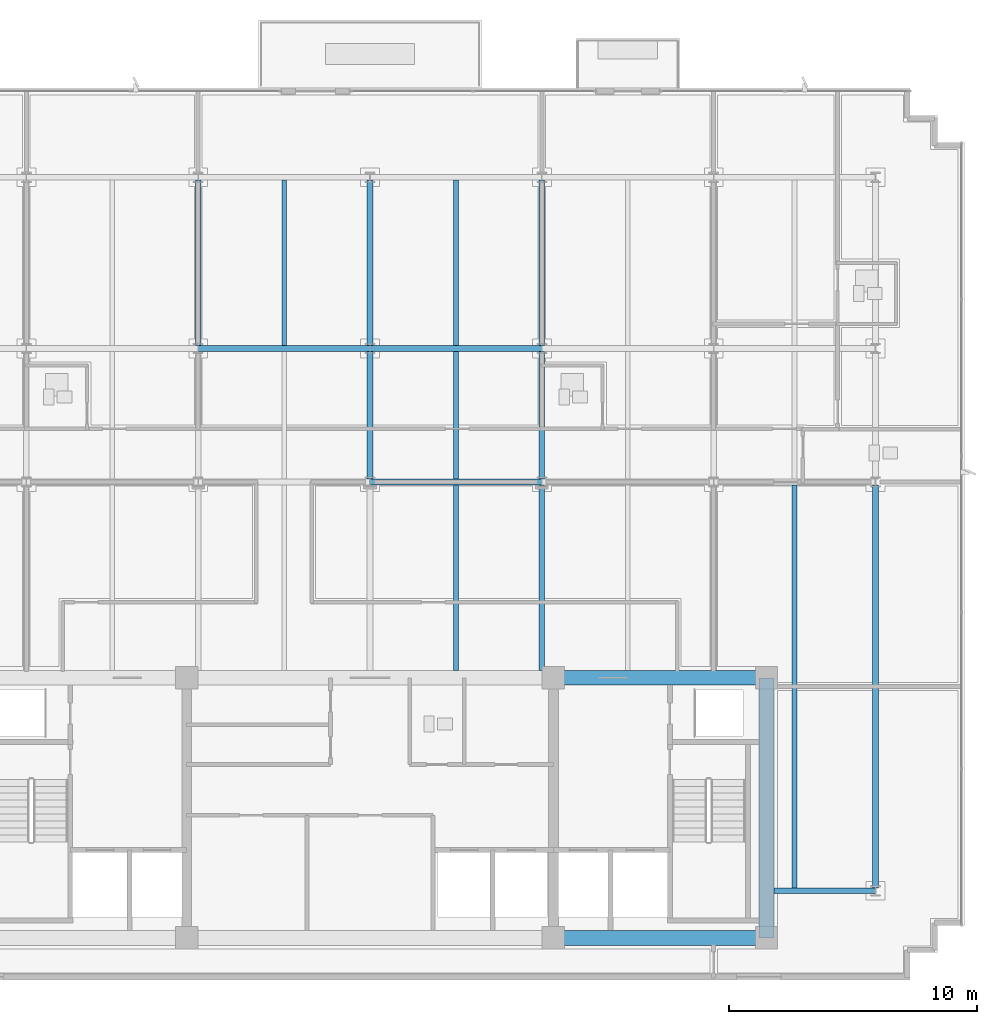
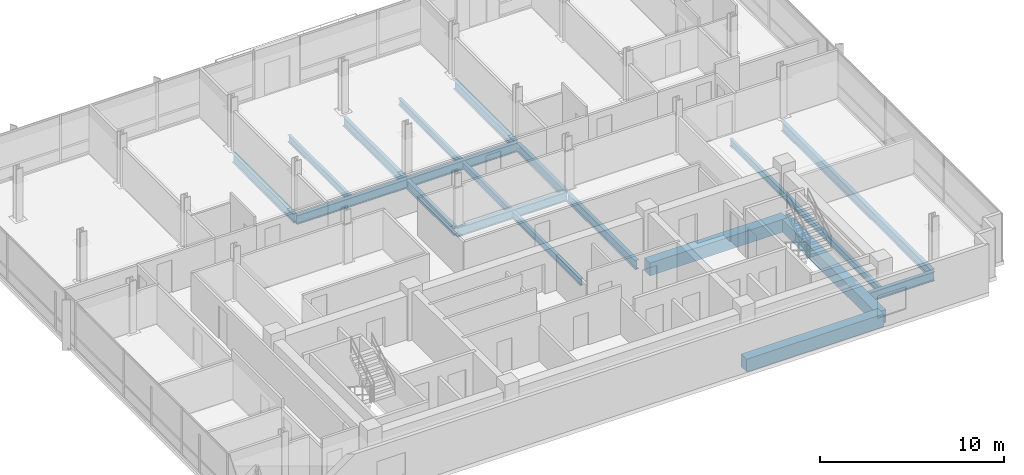
# One storey, part 5 of 19: 19 beams.
"""IFC4 building model written with IfcOpenShell, lengths in metres."""

from ifc_helpers import new_model, si_unit, direction, frame, origin, origin_2d, place, context, subcontext, project, spatial, rectangle, i_section, extrude, material, material_profile, profile_set, type_object, element, save


model = new_model("IFC4")

# Units and contexts
model_context = context("Model", 3, precision=1e-05, world=origin(), true_north=direction((0.0, 1.0)))
body_context = subcontext(model_context, "Body", "Model", "MODEL_VIEW")
ifc_project = project(units=[si_unit("LENGTHUNIT", "METRE"), si_unit("AREAUNIT", "SQUARE_METRE"), si_unit("VOLUMEUNIT", "CUBIC_METRE"), si_unit("PLANEANGLEUNIT", "RADIAN"), si_unit("MASSUNIT", "GRAM", prefix="KILO")], contexts=[model_context])

# Site, building, storey
site_placement = place(None, origin())
site = spatial("IfcSite", under=ifc_project, at=site_placement, CompositionType="ELEMENT")
building_placement = place(site_placement, origin())
building = spatial("IfcBuilding", under=site, at=building_placement, Name="Solmavex Isthmus Hotel", CompositionType="ELEMENT")
storey_placement = place(building_placement, frame((0.0, 0.0, 262.64990234375)))
storey = spatial("IfcBuildingStorey", under=building, at=storey_placement, Name="L71", CompositionType="ELEMENT", Elevation=262.64990234375)

# Beams
ifc_material_1 = material(Name="Steel ASTM A992 Grade 50", Category="steel")
ifc_material_profile_1 = material_profile(ifc_material_1, i_section(OverallWidth=0.1904296875, OverallDepth=0.456787109375, WebThickness=0.009033203125, FlangeThickness=0.014404296875, FilletRadius=0.0126953125, at=origin_2d()), Name="W18X50")
ifc_profile_set_1 = profile_set([ifc_material_profile_1], Name="Steel ASTM A992 Grade 50")
beam_type_1 = type_object("IfcBeamType", Name="BM-BJ-W18X50", PredefinedType="JOIST", material=ifc_profile_set_1)
beam_1_placement = place(storey_placement, frame((-3.468017578125, 10.90185546875, -0.48828125), z_axis=(0.0, 1.0, 0.0), x_axis=(-1.0, 0.0, 0.0)))
element("IfcBeam", 1, at=beam_1_placement, inside=storey, type_object=beam_type_1, Name="Secondary Floor Joist L71-J09", PredefinedType="JOIST", context=body_context, shape_type="SweptSolid", body=[
    extrude(i_section(OverallWidth=0.1904296875, OverallDepth=0.456787109375, WebThickness=0.009033203125, FlangeThickness=0.014404296875, FilletRadius=0.0126953125, at=origin_2d()), origin(), (0.0, 0.0, 1.0), 6.682861328125),
])
beam_2_placement = place(storey_placement, frame((3.468017578125, -2.199951171875, -0.48828125), z_axis=(0.0, 1.0, 0.0), x_axis=(-1.0, 0.0, 0.0)))
element("IfcBeam", 2, at=beam_2_placement, inside=storey, type_object=beam_type_1, Name="Secondary Floor Joist L71-J10", PredefinedType="JOIST", context=body_context, shape_type="SweptSolid", body=[
    extrude(i_section(OverallWidth=0.1904296875, OverallDepth=0.456787109375, WebThickness=0.009033203125, FlangeThickness=0.014404296875, FilletRadius=0.0126953125, at=origin_2d()), origin(), (0.0, 0.0, 1.0), 7.486083984375),
])
beam_3_placement = place(storey_placement, frame((3.468017578125, 5.513916015625, -0.48828125), z_axis=(0.0, 1.0, 0.0), x_axis=(-1.0, 0.0, 0.0)))
element("IfcBeam", 3, at=beam_3_placement, inside=storey, type_object=beam_type_1, Name="Secondary Floor Joist L71-J11", PredefinedType="JOIST", context=body_context, shape_type="SweptSolid", body=[
    extrude(i_section(OverallWidth=0.1904296875, OverallDepth=0.456787109375, WebThickness=0.009033203125, FlangeThickness=0.014404296875, FilletRadius=0.0126953125, at=origin_2d()), origin(), (0.0, 0.0, 1.0), 5.16015625),
])
beam_4_placement = place(storey_placement, frame((3.468017578125, 10.90185546875, -0.48828125), z_axis=(0.0, 1.0, 0.0), x_axis=(-1.0, 0.0, 0.0)))
element("IfcBeam", 4, at=beam_4_placement, inside=storey, type_object=beam_type_1, Name="Secondary Floor Joist L71-J12", PredefinedType="JOIST", context=body_context, shape_type="SweptSolid", body=[
    extrude(i_section(OverallWidth=0.1904296875, OverallDepth=0.456787109375, WebThickness=0.009033203125, FlangeThickness=0.014404296875, FilletRadius=0.0126953125, at=origin_2d()), origin(), (0.0, 0.0, 1.0), 6.682861328125),
])
beam_5_placement = place(storey_placement, frame((17.135986328125, -10.98486328125, -0.48828125), z_axis=(0.0, 1.0, 0.0), x_axis=(-1.0, 0.0, 0.0)))
element("IfcBeam", 5, at=beam_5_placement, inside=storey, type_object=beam_type_1, Name="Secondary Floor Joist L71-J16", PredefinedType="JOIST", context=body_context, shape_type="SweptSolid", body=[
    extrude(i_section(OverallWidth=0.1904296875, OverallDepth=0.456787109375, WebThickness=0.009033203125, FlangeThickness=0.014404296875, FilletRadius=0.0126953125, at=origin_2d()), origin(), (0.0, 0.0, 1.0), 16.27099609375),
])
ifc_material_profile_2 = material_profile(ifc_material_1, i_section(OverallWidth=0.227783203125, OverallDepth=0.602783203125, WebThickness=0.010498046875, FlangeThickness=0.014892578125, FilletRadius=0.01513671875, at=origin_2d()), Name="W24X68")
ifc_profile_set_2 = profile_set([ifc_material_profile_2], Name="Steel ASTM A992 Grade 50")
beam_type_2 = type_object("IfcBeamType", Name="BM-BM-W24X68", PredefinedType="BEAM", material=ifc_profile_set_2)
for number, where, z_axis, x_axis, name in (
    (6, (0.0, 5.39990234375, -0.561279296875), (1.0, 0.0, 0.0), (0.0, 1.0, 0.0), "Floor Girder L71-UG06"),
    (7, (-6.93603515625, 10.7880859375, -0.561279296875), (1.0, 0.0, 0.0), (0.0, 1.0, 0.0), "Floor Girder L71-UG11"),
    (8, (0.0, 10.7880859375, -0.561279296875), (1.0, 0.0, 0.0), (0.0, 1.0, 0.0), "Floor Girder L71-UG12"),
):
    element("IfcBeam", number, at=place(storey_placement, frame(where, z_axis=z_axis, x_axis=x_axis)), inside=storey, type_object=beam_type_2, Name=name, PredefinedType="BEAM", context=body_context, shape_type="SweptSolid", body=[
        extrude(i_section(OverallWidth=0.227783203125, OverallDepth=0.602783203125, WebThickness=0.010498046875, FlangeThickness=0.014892578125, FilletRadius=0.01513671875, at=origin_2d()), origin(), (0.0, 0.0, 1.0), 6.93603515625),
    ])
beam_6_placement = place(storey_placement, frame((-6.93603515625, 10.90185546875, -0.561279296875), z_axis=(0.0, 1.0, 0.0), x_axis=(-1.0, 0.0, 0.0)))
element("IfcBeam", 9, at=beam_6_placement, inside=storey, type_object=beam_type_2, Name="Floor Beam L71-VG29", PredefinedType="BEAM", context=body_context, shape_type="SweptSolid", body=[
    extrude(i_section(OverallWidth=0.227783203125, OverallDepth=0.602783203125, WebThickness=0.010498046875, FlangeThickness=0.014892578125, FilletRadius=0.01513671875, at=origin_2d()), origin(), (0.0, 0.0, 1.0), 6.682861328125),
])
beam_7_placement = place(storey_placement, frame((0.0, 5.513916015625, -0.561279296875), z_axis=(0.0, 1.0, 0.0), x_axis=(-1.0, 0.0, 0.0)))
element("IfcBeam", 10, at=beam_7_placement, inside=storey, type_object=beam_type_2, Name="Floor Beam L71-VG31", PredefinedType="BEAM", context=body_context, shape_type="SweptSolid", body=[
    extrude(i_section(OverallWidth=0.227783203125, OverallDepth=0.602783203125, WebThickness=0.010498046875, FlangeThickness=0.014892578125, FilletRadius=0.01513671875, at=origin_2d()), origin(), (0.0, 0.0, 1.0), 5.16015625),
])
beam_8_placement = place(storey_placement, frame((0.0, 10.90185546875, -0.561279296875), z_axis=(0.0, 1.0, 0.0), x_axis=(-1.0, 0.0, 0.0)))
element("IfcBeam", 11, at=beam_8_placement, inside=storey, type_object=beam_type_2, Name="Floor Beam L71-VG32", PredefinedType="BEAM", context=body_context, shape_type="SweptSolid", body=[
    extrude(i_section(OverallWidth=0.227783203125, OverallDepth=0.602783203125, WebThickness=0.010498046875, FlangeThickness=0.014892578125, FilletRadius=0.01513671875, at=origin_2d()), origin(), (0.0, 0.0, 1.0), 6.682861328125),
])
beam_9_placement = place(storey_placement, frame((6.93603515625, -2.199951171875, -0.561279296875), z_axis=(0.0, 1.0, 0.0), x_axis=(-1.0, 0.0, 0.0)))
element("IfcBeam", 12, at=beam_9_placement, inside=storey, type_object=beam_type_2, Name="Floor Beam L71-VG33", PredefinedType="BEAM", context=body_context, shape_type="SweptSolid", body=[
    extrude(i_section(OverallWidth=0.227783203125, OverallDepth=0.602783203125, WebThickness=0.010498046875, FlangeThickness=0.014892578125, FilletRadius=0.01513671875, at=origin_2d()), origin(), (0.0, 0.0, 1.0), 7.486083984375),
])
beam_10_placement = place(storey_placement, frame((6.93603515625, 5.513916015625, -0.561279296875), z_axis=(0.0, 1.0, 0.0), x_axis=(-1.0, 0.0, 0.0)))
element("IfcBeam", 13, at=beam_10_placement, inside=storey, type_object=beam_type_2, Name="Floor Beam L71-VG34", PredefinedType="BEAM", context=body_context, shape_type="SweptSolid", body=[
    extrude(i_section(OverallWidth=0.227783203125, OverallDepth=0.602783203125, WebThickness=0.010498046875, FlangeThickness=0.014892578125, FilletRadius=0.01513671875, at=origin_2d()), origin(), (0.0, 0.0, 1.0), 5.16015625),
])
beam_11_placement = place(storey_placement, frame((6.93603515625, 10.90185546875, -0.561279296875), z_axis=(0.0, 1.0, 0.0), x_axis=(-1.0, 0.0, 0.0)))
element("IfcBeam", 14, at=beam_11_placement, inside=storey, type_object=beam_type_2, Name="Floor Beam L71-VG35", PredefinedType="BEAM", context=body_context, shape_type="SweptSolid", body=[
    extrude(i_section(OverallWidth=0.227783203125, OverallDepth=0.602783203125, WebThickness=0.010498046875, FlangeThickness=0.014892578125, FilletRadius=0.01513671875, at=origin_2d()), origin(), (0.0, 0.0, 1.0), 6.682861328125),
])
ifc_material_2 = material(Name="Concrete C50/60", Category="concrete")
ifc_material_profile_3 = material_profile(ifc_material_2, rectangle(XDim=0.60009765625, YDim=0.85009765625, at=origin_2d()), Name="RC600X850")
ifc_profile_set_3 = profile_set([ifc_material_profile_3], Name="Concrete C50/60")
beam_type_3 = type_object("IfcBeamType", Name="BM-CB-600X850", PredefinedType="BEAM", material=ifc_profile_set_3)
for number, where, z_axis, x_axis, name in (
    (15, (7.39990234375, -13.0, -0.684814453125), (1.0, 0.0, 0.0), (0.0, 1.0, 0.0), "Core Coupling Beam L71-CB3"),
    (16, (7.39990234375, -2.5, -0.684814453125), (1.0, 0.0, 0.0), (0.0, 1.0, 0.0), "Core Coupling Beam L71-CB6"),
):
    element("IfcBeam", number, at=place(storey_placement, frame(where, z_axis=z_axis, x_axis=x_axis)), inside=storey, type_object=beam_type_3, Name=name, PredefinedType="BEAM", context=body_context, shape_type="SweptSolid", body=[
        extrude(rectangle(XDim=0.60009765625, YDim=0.85009765625, at=origin_2d()), origin(), (0.0, 0.0, 1.0), 8.60009765625),
    ])
beam_12_placement = place(storey_placement, frame((16.0, -13.0, -0.684814453125), z_axis=(0.0, 1.0, 0.0), x_axis=(-1.0, 0.0, 0.0)))
element("IfcBeam", 17, at=beam_12_placement, inside=storey, type_object=beam_type_3, Name="Core Coupling Beam L71-CB8", PredefinedType="BEAM", context=body_context, shape_type="SweptSolid", body=[
    extrude(rectangle(XDim=0.60009765625, YDim=0.85009765625, at=origin_2d()), origin(), (0.0, 0.0, 1.0), 10.5),
])
ifc_material_profile_4 = material_profile(ifc_material_1, i_section(OverallWidth=0.230224609375, OverallDepth=0.617431640625, WebThickness=0.01318359375, FlangeThickness=0.022216796875, FilletRadius=0.01513671875, at=origin_2d()), Name="W24X94")
ifc_profile_set_4 = profile_set([ifc_material_profile_4], Name="Steel ASTM A992 Grade 50")
beam_type_4 = type_object("IfcBeamType", Name="BM-SP-W24X94", PredefinedType="SPANDREL", material=ifc_profile_set_4)
beam_13_placement = place(storey_placement, frame((16.300048828125, -11.10009765625, -0.568603515625), z_axis=(1.0, 0.0, 0.0), x_axis=(0.0, 1.0, 0.0)))
element("IfcBeam", 18, at=beam_13_placement, inside=storey, type_object=beam_type_4, Name="Floor Girder L71-UG02", PredefinedType="SPANDREL", context=body_context, shape_type="SweptSolid", body=[
    extrude(i_section(OverallWidth=0.230224609375, OverallDepth=0.617431640625, WebThickness=0.01318359375, FlangeThickness=0.022216796875, FilletRadius=0.01513671875, at=origin_2d()), origin(), (0.0, 0.0, 1.0), 4.099853515625),
])
beam_14_placement = place(storey_placement, frame((20.39990234375, -10.98486328125, -0.568603515625), z_axis=(0.0, 1.0, 0.0), x_axis=(-1.0, 0.0, 0.0)))
element("IfcBeam", 19, at=beam_14_placement, inside=storey, type_object=beam_type_4, Name="Floor Beam L71-VG39", PredefinedType="SPANDREL", context=body_context, shape_type="SweptSolid", body=[
    extrude(i_section(OverallWidth=0.230224609375, OverallDepth=0.617431640625, WebThickness=0.01318359375, FlangeThickness=0.022216796875, FilletRadius=0.01513671875, at=origin_2d()), origin(), (0.0, 0.0, 1.0), 16.27099609375),
])

save(model, "model.ifc")
